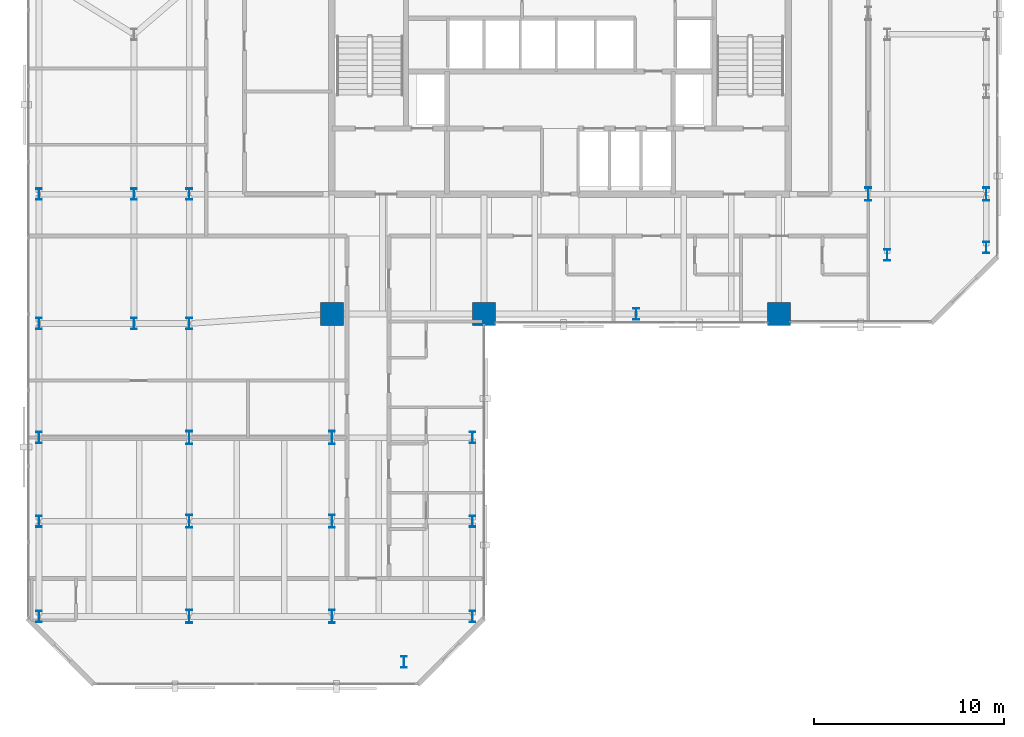
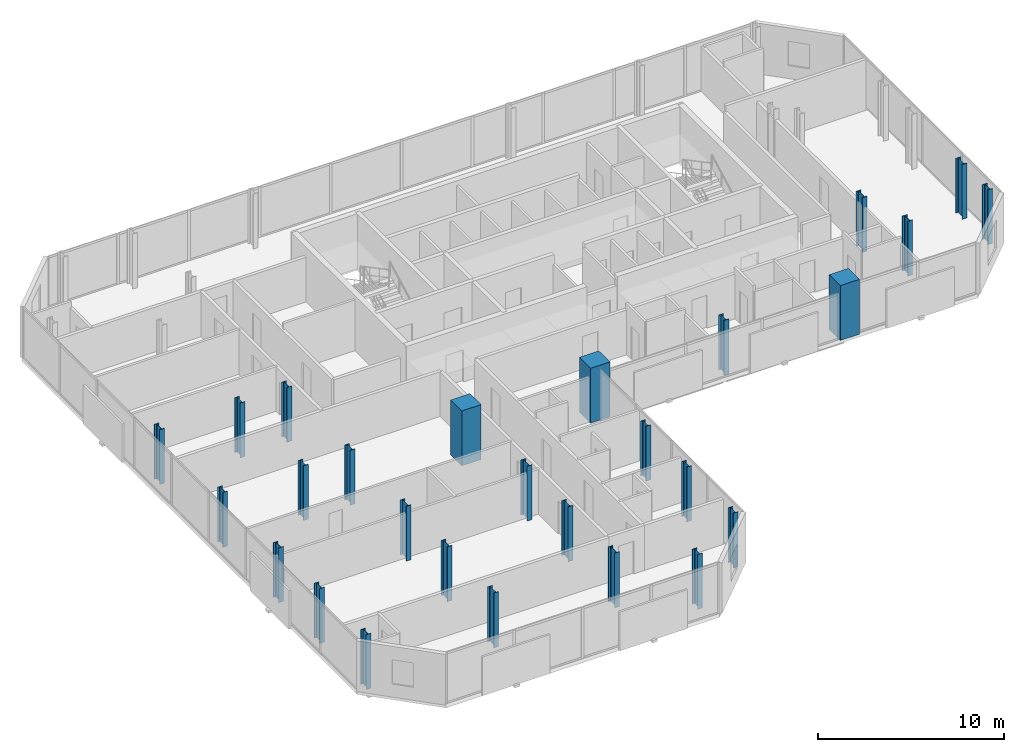
# One storey, part 1 of 32: 27 columns.
"""IFC4 building model written with IfcOpenShell, lengths in metres."""

from ifc_helpers import new_model, si_unit, direction, frame, origin, origin_2d, place, context, subcontext, project, spatial, rectangle, i_section, extrude, material, material_profile, profile_set, type_object, element, save


model = new_model("IFC4")

# Units and contexts
model_context = context("Model", 3, precision=1e-05, world=origin(), true_north=direction((0.0, 1.0)))
body_context = subcontext(model_context, "Body", "Model", "MODEL_VIEW")
ifc_project = project(units=[si_unit("LENGTHUNIT", "METRE"), si_unit("AREAUNIT", "SQUARE_METRE"), si_unit("VOLUMEUNIT", "CUBIC_METRE"), si_unit("PLANEANGLEUNIT", "RADIAN"), si_unit("MASSUNIT", "GRAM", prefix="KILO")], contexts=[model_context])

# Site, building, storey
site_placement = place(None, origin())
site = spatial("IfcSite", under=ifc_project, at=site_placement, CompositionType="ELEMENT")
building_placement = place(site_placement, origin())
building = spatial("IfcBuilding", under=site, at=building_placement, Name="Catumbela Crestline Tower", CompositionType="ELEMENT")
storey_placement = place(building_placement, frame((0.0, 0.0, 133.2)))
storey = spatial("IfcBuildingStorey", under=building, at=storey_placement, Name="L34", CompositionType="ELEMENT", Elevation=133.2)

# Columns
ifc_material_1 = material(Name="Concrete C50/60", Category="concrete")
ifc_material_profile_1 = material_profile(ifc_material_1, rectangle(XDim=1.2, YDim=1.2, at=origin_2d()), Name="RC 1200x1200")
ifc_profile_set_1 = profile_set([ifc_material_profile_1], Name="Concrete C50/60")
column_type_1 = type_object("IfcColumnType", Name="C-RC1200-C50", PredefinedType="COLUMN", material=ifc_profile_set_1)
for number, where, z_axis, x_axis, name in (
    (1, (16.0, 24.5, 0.0), (0.0, 0.0, 1.0), (1.0, 0.0, 0.0), "L34 Column C-16-24 (RC 1200x1200)"),
    (2, (24.0, 24.5, 0.0), (0.0, 0.0, 1.0), (1.0, 0.0, 0.0), "L34 Column C-24-24 (RC 1200x1200)"),
    (3, (39.5, 24.5, 0.0), (0.0, 0.0, 1.0), (1.0, 0.0, 0.0), "L34 Column C-40-24 (RC 1200x1200)"),
):
    element("IfcColumn", number, at=place(storey_placement, frame(where, z_axis=z_axis, x_axis=x_axis)), inside=storey, type_object=column_type_1, Name=name, PredefinedType="COLUMN", context=body_context, shape_type="SweptSolid", body=[
        extrude(rectangle(XDim=1.2, YDim=1.2, at=origin_2d()), origin(), (0.0, 0.0, 1.0), 3.6),
    ])
ifc_material_2 = material(Name="Structural steel S460M", Category="steel")
ifc_material_profile_2 = material_profile(ifc_material_2, i_section(OverallWidth=0.3, OverallDepth=0.6, WebThickness=0.0155, FlangeThickness=0.03, FilletRadius=0.027, at=origin_2d()), Name="HEB 600")
ifc_profile_set_2 = profile_set([ifc_material_profile_2], Name="Structural steel S460M")
column_type_2 = type_object("IfcColumnType", Name="C-ST-HEB600", PredefinedType="COLUMN", material=ifc_profile_set_2)
for number, where, z_axis, x_axis, name in (
    (4, (8.5, 24.0, 0.0), (0.0, 0.0, 1.0), (1.0, 0.0, 0.0), "L34 Column C-08-24 (HEB 600)"),
    (5, (32.0, 24.5, 0.0), (0.0, 0.0, 1.0), (1.0, 0.0, 0.0), "L34 Column C-32-24 (HEB 600)"),
    (6, (5.6, 24.0, 0.0), (0.0, 0.0, 1.0), (1.0, 0.0, 0.0), "L34 Column C-05-24 (HEB 600)"),
    (7, (5.6, 30.8, 0.0), (0.0, 0.0, 1.0), (1.0, 0.0, 0.0), "L34 Column C-05-31 (HEB 600)"),
    (8, (8.5, 30.8, 0.0), (0.0, 0.0, 1.0), (1.0, 0.0, 0.0), "L34 Column C-08-31 (HEB 600)"),
    (9, (45.2, 27.6, 0.0), (0.0, 0.0, 1.0), (1.0, 0.0, 0.0), "L34 Column C-46-24 (HEB 600)"),
    (10, (0.6, 24.0, 0.0), (0.0, 0.0, 1.0), (1.0, 0.0, 0.0), "L34 Column C-00-24 (HEB 600)"),
    (11, (0.6, 30.8, 0.0), (0.0, 0.0, 1.0), (1.0, 0.0, 0.0), "L34 Column C-00-31 (HEB 600)"),
    (12, (50.4, 28.0, 0.0), (0.0, 0.0, 1.0), (1.0, 0.0, 0.0), "L34 Column C-51-24 (HEB 600)"),
    (13, (0.6, 8.6, 0.0), (0.0, 0.0, 1.0), (1.0, 0.0, 0.0), "L34 Column C-00-05 (HEB 600)"),
    (14, (0.6, 13.6, 0.0), (0.0, 0.0, 1.0), (1.0, 0.0, 0.0), "L34 Column C-00-10 (HEB 600)"),
    (15, (0.6, 18.0, 0.0), (0.0, 0.0, 1.0), (1.0, 0.0, 0.0), "L34 Column C-00-16 (HEB 600)"),
    (16, (19.8, 6.2, 0.0), (0.0, 0.0, 1.0), (1.0, 0.0, 0.0), "L34 Column C-24-05 (HEB 600)"),
    (17, (23.4, 8.6, 0.0), (0.0, 0.0, 1.0), (1.0, 0.0, 0.0), "L34 Column C-23-08 (HEB 600)"),
    (18, (23.4, 13.6, 0.0), (0.0, 0.0, 1.0), (1.0, 0.0, 0.0), "L34 Column C-24-10 (HEB 600)"),
    (19, (23.4, 18.0, 0.0), (0.0, 0.0, 1.0), (1.0, 0.0, 0.0), "L34 Column C-24-16 (HEB 600)"),
):
    element("IfcColumn", number, at=place(storey_placement, frame(where, z_axis=z_axis, x_axis=x_axis)), inside=storey, type_object=column_type_2, Name=name, PredefinedType="COLUMN", context=body_context, shape_type="SweptSolid", body=[
        extrude(i_section(OverallWidth=0.3, OverallDepth=0.6, WebThickness=0.0155, FlangeThickness=0.03, FilletRadius=0.027, at=origin_2d()), origin(), (0.0, 0.0, 1.0), 3.6),
    ])
ifc_material_profile_3 = material_profile(ifc_material_2, i_section(OverallWidth=0.3, OverallDepth=0.7, WebThickness=0.017, FlangeThickness=0.032, FilletRadius=0.027, at=origin_2d()), Name="HEB 700")
ifc_profile_set_3 = profile_set([ifc_material_profile_3], Name="Structural steel S460M")
column_type_3 = type_object("IfcColumnType", Name="C-ST-HEB700", PredefinedType="COLUMN", material=ifc_profile_set_3)
for number, where, z_axis, x_axis, name in (
    (20, (8.5, 8.6, 0.0), (0.0, 0.0, 1.0), (1.0, 0.0, 0.0), "L34 Column CT-05-05 (HEB 700)"),
    (21, (16.0, 8.6, 0.0), (0.0, 0.0, 1.0), (1.0, 0.0, 0.0), "L34 Column CT-14-05 (HEB 700)"),
    (22, (8.5, 13.6, 0.0), (0.0, 0.0, 1.0), (1.0, 0.0, 0.0), "L34 Column CT-05-10 (HEB 700)"),
    (23, (16.0, 13.6, 0.0), (0.0, 0.0, 1.0), (1.0, 0.0, 0.0), "L34 Column CT-14-10 (HEB 700)"),
    (24, (8.5, 18.0, 0.0), (0.0, 0.0, 1.0), (1.0, 0.0, 0.0), "L34 Column CT-05-16 (HEB 700)"),
    (25, (16.0, 18.0, 0.0), (0.0, 0.0, 1.0), (1.0, 0.0, 0.0), "L34 Column CT-14-16 (HEB 700)"),
    (26, (44.2, 30.8, 0.0), (0.0, 0.0, 1.0), (1.0, 0.0, 0.0), "L34 Column CT-46-31 (HEB 700)"),
    (27, (50.4, 30.8, 0.0), (0.0, 0.0, 1.0), (1.0, 0.0, 0.0), "L34 Column CT-51-31 (HEB 700)"),
):
    element("IfcColumn", number, at=place(storey_placement, frame(where, z_axis=z_axis, x_axis=x_axis)), inside=storey, type_object=column_type_3, Name=name, PredefinedType="COLUMN", context=body_context, shape_type="SweptSolid", body=[
        extrude(i_section(OverallWidth=0.3, OverallDepth=0.7, WebThickness=0.017, FlangeThickness=0.032, FilletRadius=0.027, at=origin_2d()), origin(), (0.0, 0.0, 1.0), 3.6),
    ])

save(model, "model.ifc")
